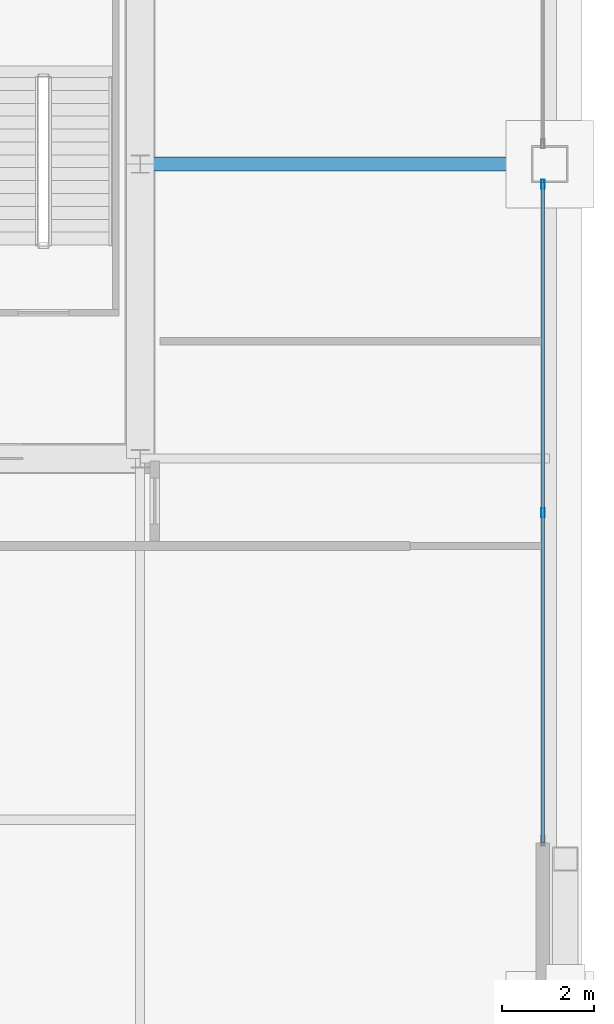
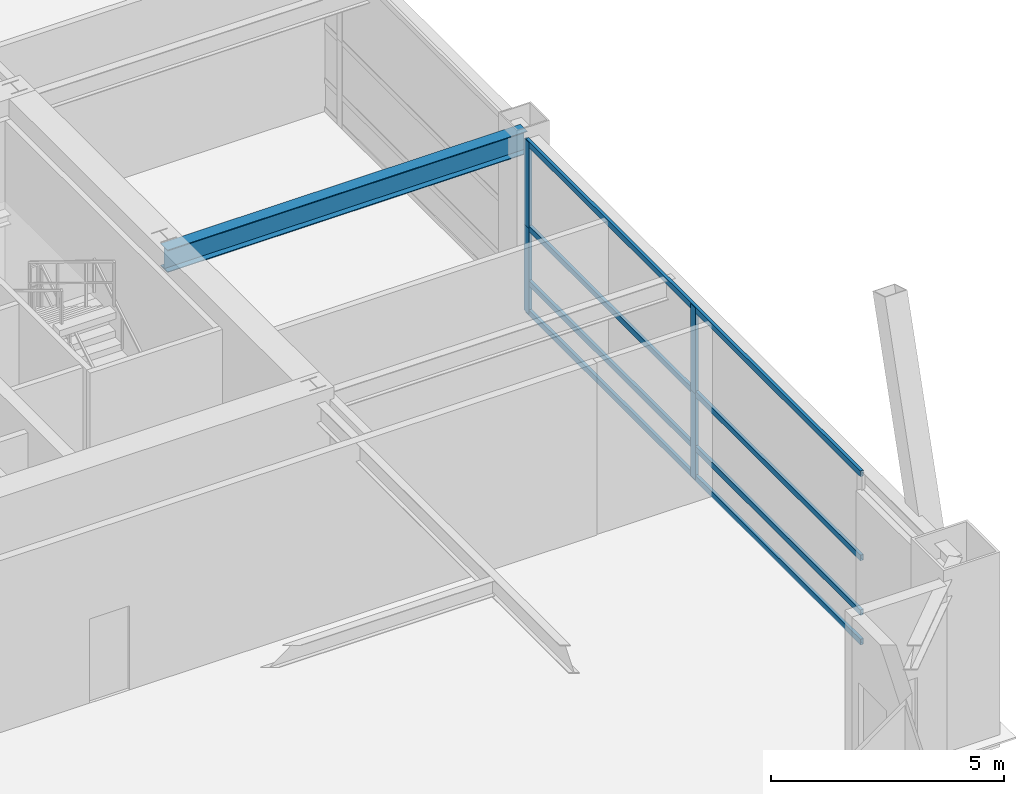
# One storey, part 17 of 34: 8 members, 1 beam, 1 element without a shape of its own.
"""IFC4 building model written with IfcOpenShell, lengths in metres."""

import ifcopenshell
import ifcopenshell.guid

model = None  # the IFC model being written
_history = None  # IfcOwnerHistory: only IFC2X3 demands one
_inside = {}  # id of a spatial element -> (the spatial element, [elements in it])
_under = {}  # id of a project, library or spatial element -> (it, [spatial elements below it])
_declared = {}  # id of a project -> (the project, [libraries it declares])
_typed = {}  # id of a type object -> (the type object, [elements of that type])
_made_of = {}  # id of a material, layer set ... -> (it, [elements and type objects made of it])


def new_model(schema):
    """Start an empty IFC model of exactly this schema.

    Asked for "IFC4X3", IfcOpenShell would pick the latest addendum, in which some entities
    have other attributes; the version numbers below select the first issue.
    IFC2X3 requires an IfcOwnerHistory on every rooted entity: one is made here for all.
    """
    global model, _history
    if schema == "IFC4X3":
        model = ifcopenshell.file(schema_version=(4, 3, 0, 0))
    else:
        model = ifcopenshell.file(schema=schema)
    _inside.clear()
    _under.clear()
    _declared.clear()
    _typed.clear()
    _made_of.clear()
    _history = None
    if model.schema == "IFC2X3":
        org = make("IfcOrganization", Name="unknown")
        user = make(
            "IfcPersonAndOrganization",
            ThePerson=make("IfcPerson", FamilyName="unknown"),
            TheOrganization=org,
        )
        app = make(
            "IfcApplication",
            ApplicationDeveloper=org,
            Version="unknown",
            ApplicationFullName="unknown",
            ApplicationIdentifier="unknown",
        )
        _history = make(
            "IfcOwnerHistory",
            OwningUser=user,
            OwningApplication=app,
            ChangeAction="ADDED",
            CreationDate=0,
        )
    return model


def make(cls, **values):
    """One entity of the class cls with the attributes given. An attribute that is None is left unset."""
    return model.create_entity(
        cls, **{name: value for name, value in values.items() if value is not None}
    )


def rooted(cls, **values):
    """An entity with a GlobalId (a new one), such as an element, a storey or a relation."""
    return make(cls, GlobalId=ifcopenshell.guid.new(), OwnerHistory=_history, **values)


def si_unit(unit_type, name, prefix=None):
    """IfcSIUnit, for example si_unit("LENGTHUNIT", "METRE", prefix="MILLI")."""
    return make("IfcSIUnit", UnitType=unit_type, Prefix=prefix, Name=name)


def assignment(units):
    """IfcUnitAssignment: the units of a project."""
    return None if units is None else make("IfcUnitAssignment", Units=units)


def point(xyz):
    """IfcCartesianPoint."""
    return None if xyz is None else make("IfcCartesianPoint", Coordinates=xyz)


def direction(xyz):
    """IfcDirection."""
    return None if xyz is None else make("IfcDirection", DirectionRatios=xyz)


def frame(location, z_axis=None, x_axis=None):
    """IfcAxis2Placement3D, a coordinate frame: its origin and axes. An axis left out is left unset."""
    return make(
        "IfcAxis2Placement3D",
        Location=point(location),
        Axis=direction(z_axis),
        RefDirection=direction(x_axis),
    )


def frame_2d(location, x_axis=None):
    """IfcAxis2Placement2D, a coordinate frame in the plane: its origin and x axis."""
    return make(
        "IfcAxis2Placement2D", Location=point(location), RefDirection=direction(x_axis)
    )


def origin():
    """The frame at (0, 0, 0) with its axes left unset."""
    return frame((0.0, 0.0, 0.0))


def origin_2d():
    """The frame at (0, 0) in the plane with its x axis left unset."""
    return frame_2d((0.0, 0.0))


def place(relative_to, where):
    """IfcLocalPlacement: puts the frame where relative to a parent placement (None: the world)."""
    return make(
        "IfcLocalPlacement", PlacementRelTo=relative_to, RelativePlacement=where
    )


def context(
    kind, dimensions, precision=None, world=None, true_north=None, identifier=None
):
    """IfcGeometricRepresentationContext, for example the 3D "Model" context."""
    return make(
        "IfcGeometricRepresentationContext",
        ContextIdentifier=identifier,
        ContextType=kind,
        CoordinateSpaceDimension=dimensions,
        Precision=precision,
        WorldCoordinateSystem=world,
        TrueNorth=true_north,
    )


def subcontext(parent, identifier, kind, view, scale=None):
    """IfcGeometricRepresentationSubContext, for example "Body" below "Model"."""
    return make(
        "IfcGeometricRepresentationSubContext",
        ContextIdentifier=identifier,
        ContextType=kind,
        ParentContext=parent,
        TargetScale=scale,
        TargetView=view,
    )


def project(units=None, contexts=None):
    """IfcProject with its units and contexts."""
    return rooted(
        "IfcProject",
        Name="project",
        RepresentationContexts=contexts,
        UnitsInContext=assignment(units),
    )


def spatial(cls, under=None, at=None, **own):
    """A site, building, storey or space (cls), placed at a placement, below another one or the project."""
    s = rooted(cls, ObjectPlacement=at, **own)
    if under is not None:
        _under.setdefault(under.id(), (under, []))[1].append(s)
    return s


def profile(cls, at=None, kind="AREA", **sizes):
    """A parametric profile (cls). Its sizes go by their IFC names, for example OverallWidth=200.0."""
    return make(cls, ProfileType=kind, Position=at, **sizes)


def hollow_rectangle(**sizes):
    """IfcRectangleHollowProfileDef."""
    return profile("IfcRectangleHollowProfileDef", **sizes)


def i_section(**sizes):
    """IfcIShapeProfileDef."""
    return profile("IfcIShapeProfileDef", **sizes)


def extrude(swept, where, along, depth):
    """IfcExtrudedAreaSolid: the profile swept, set in the frame where, extruded along a direction by depth."""
    return make(
        "IfcExtrudedAreaSolid",
        SweptArea=swept,
        Position=where,
        ExtrudedDirection=direction(along),
        Depth=depth,
    )


def shape(context_of_items, identifier, shape_type, items):
    """IfcShapeRepresentation: the items that make up one representation, for example the "Body"."""
    return make(
        "IfcShapeRepresentation",
        ContextOfItems=context_of_items,
        RepresentationIdentifier=identifier,
        RepresentationType=shape_type,
        Items=items,
    )


def source(mapping_origin, context_of_items, identifier, shape_type, items):
    """IfcRepresentationMap: a shape defined once, which mapped items show again and again."""
    return make(
        "IfcRepresentationMap",
        MappingOrigin=mapping_origin,
        MappedRepresentation=shape(context_of_items, identifier, shape_type, items),
    )


def transform(
    local_origin,
    x_axis=None,
    y_axis=None,
    z_axis=None,
    scale=None,
    scale2=None,
    scale3=None,
    uniform=True,
):
    """IfcCartesianTransformationOperator3D, or its non-uniform kind. x_axis, y_axis, z_axis: its Axis1, 2, 3."""
    if uniform:
        return make(
            "IfcCartesianTransformationOperator3D",
            Axis1=direction(x_axis),
            Axis2=direction(y_axis),
            LocalOrigin=point(local_origin),
            Scale=scale,
            Axis3=direction(z_axis),
        )
    return make(
        "IfcCartesianTransformationOperator3DnonUniform",
        Axis1=direction(x_axis),
        Axis2=direction(y_axis),
        LocalOrigin=point(local_origin),
        Scale=scale,
        Axis3=direction(z_axis),
        Scale2=scale2,
        Scale3=scale3,
    )


def mapped(mapping_source, mapping_target):
    """IfcMappedItem: shows the shape of a source again, moved by a transform."""
    return make(
        "IfcMappedItem", MappingSource=mapping_source, MappingTarget=mapping_target
    )


def material(Name=None, Category=None):
    """IfcMaterial."""
    return make("IfcMaterial", Name=Name, Category=Category)


def layer(
    of_material, thickness, ventilated=None, Name=None, Category=None, Priority=None
):
    """IfcMaterialLayer: one layer of a wall or slab, of a material (None: an air gap)."""
    return make(
        "IfcMaterialLayer",
        Material=of_material,
        LayerThickness=thickness,
        IsVentilated=ventilated,
        Name=Name,
        Category=Category,
        Priority=Priority,
    )


def layer_set(layers, Name=None):
    """IfcMaterialLayerSet."""
    return make("IfcMaterialLayerSet", MaterialLayers=layers, LayerSetName=Name)


def material_profile(
    of_material, cross_section, Name=None, Category=None, Priority=None
):
    """IfcMaterialProfile: a cross section and its material."""
    return make(
        "IfcMaterialProfile",
        Name=Name,
        Material=of_material,
        Profile=cross_section,
        Priority=Priority,
        Category=Category,
    )


def profile_set(profiles, Name=None, composite=None):
    """IfcMaterialProfileSet."""
    return make(
        "IfcMaterialProfileSet",
        Name=Name,
        MaterialProfiles=profiles,
        CompositeProfile=composite,
    )


def made_of(thing, what):
    """Note that an element or type object is made of a material, layer set ...; save() writes the relation."""
    if what is not None:
        _made_of.setdefault(what.id(), (what, []))[1].append(thing)
    return thing


def type_object(cls, material=None, **own):
    """A type object (cls), such as IfcWallType, which elements share."""
    return made_of(rooted(cls, **own), material)


def element(
    cls,
    number,
    at=None,
    inside=None,
    cuts=None,
    type_object=None,
    material=None,
    context=None,
    identifier="Body",
    shape_type=None,
    held_by="IfcProductDefinitionShape",
    body=None,
    shapes=None,
    **own,
):
    """One element of the class cls, such as IfcWall. Its Tag is "e" and its number.

    at: its placement. inside: the storey or other place that contains it. cuts: it is an
    opening in that element (IfcRelVoidsElement). A single representation is given by context,
    identifier, shape_type and body (its items); several are given by shapes. held_by: the class
    of the entity that holds the representations. save() writes the other relations.
    """
    e = rooted(cls, Tag="e%d" % number, ObjectPlacement=at, **own)
    if body is not None:
        shapes = [shape(context, identifier, shape_type, body)]
    if shapes is not None:
        e.Representation = make(held_by, Representations=shapes)
    if inside is not None:
        _inside.setdefault(inside.id(), (inside, []))[1].append(e)
    if cuts is not None:
        rooted(
            "IfcRelVoidsElement", RelatingBuildingElement=cuts, RelatedOpeningElement=e
        )
    if type_object is not None:
        _typed.setdefault(type_object.id(), (type_object, []))[1].append(e)
    return made_of(e, material)


def aggregate(whole, parts):
    """IfcRelAggregates: a whole, such as a stair, and the parts it consists of."""
    return rooted("IfcRelAggregates", RelatingObject=whole, RelatedObjects=parts)


def save(model, path):
    """Write the relations noted so far, then the file.

    IfcRelAggregates (storeys below a building ...), IfcRelContainedInSpatialStructure (elements
    in a storey), IfcRelDefinesByType, IfcRelAssociatesMaterial and IfcRelDeclares: one each for
    every whole, place, type object, material and project.
    """
    for whole, parts in _under.values():
        aggregate(whole, parts)
    for where, things in _inside.values():
        rooted(
            "IfcRelContainedInSpatialStructure",
            RelatedElements=things,
            RelatingStructure=where,
        )
    for kind, things in _typed.values():
        rooted("IfcRelDefinesByType", RelatedObjects=things, RelatingType=kind)
    for what, things in _made_of.values():
        rooted("IfcRelAssociatesMaterial", RelatedObjects=things, RelatingMaterial=what)
    for by, libraries in _declared.values():
        rooted("IfcRelDeclares", RelatingContext=by, RelatedDefinitions=libraries)
    model.write(path)


model = new_model("IFC4")

# Units and contexts
model_context = context("Model", 3, precision=1e-05, world=origin(), true_north=direction((0.0, 1.0)))
body_context = subcontext(model_context, "Body", "Model", "MODEL_VIEW")
ifc_project = project(units=[si_unit("LENGTHUNIT", "METRE"), si_unit("AREAUNIT", "SQUARE_METRE"), si_unit("VOLUMEUNIT", "CUBIC_METRE"), si_unit("PLANEANGLEUNIT", "RADIAN"), si_unit("MASSUNIT", "GRAM", prefix="KILO"), si_unit("THERMODYNAMICTEMPERATUREUNIT", "KELVIN"), si_unit("POWERUNIT", "WATT")], contexts=[model_context])

# Site, building, storey
site_placement = place(None, origin())
site = spatial("IfcSite", under=ifc_project, at=site_placement, CompositionType="ELEMENT")
building_placement = place(site_placement, origin())
building = spatial("IfcBuilding", under=site, at=building_placement, Name="Yuzanri Waterfront Tower", CompositionType="ELEMENT")
storey_placement = place(building_placement, frame((0.0, 0.0, 166.800048828125)))
storey = spatial("IfcBuildingStorey", under=building, at=storey_placement, Name="L44", CompositionType="ELEMENT", Elevation=166.800048828125)

# Beam
ifc_material_1 = material(Name="Steel Q355B", Category="steel")
ifc_material_profile_1 = material_profile(ifc_material_1, i_section(OverallWidth=0.300048828125, OverallDepth=0.587890625, WebThickness=0.011962890625, FlangeThickness=0.02001953125, at=origin_2d()), Name="HM 588x300x12x20")
ifc_profile_set_1 = profile_set([ifc_material_profile_1], Name="Steel Q355B")
beam_type = type_object("IfcBeamType", Name="Primary Floor Girder Q355B HM 588x300", PredefinedType="BEAM", material=ifc_profile_set_1)
shared_shape_1 = source(origin(), body_context, "Body", "SweptSolid", [
    extrude(i_section(OverallWidth=0.300048828125, OverallDepth=0.587890625, WebThickness=0.011962890625, FlangeThickness=0.02001953125, at=origin_2d()), origin(), (0.0, 0.0, 1.0), 8.900146484375),
])
beam_placement = place(storey_placement, frame((50.199951171875, 25.800048828125, 4.2060546875), z_axis=(1.0, 0.0, 0.0), x_axis=(0.0, 1.0, 0.0)))
element("IfcBeam", 1, at=beam_placement, inside=storey, type_object=beam_type, Name="L44 East Grid Girder", PredefinedType="BEAM", context=body_context, shape_type="MappedRepresentation", body=[
    mapped(shared_shape_1, transform((0.0, 0.0, 0.0), scale=1.0)),
])

# Curtain wall, members
ifc_material_2 = material(Name="Anodized Architectural Bronze", Category="metal")
ifc_layer = layer(ifc_material_2, 0.159912109375)
ifc_layer_set = layer_set([ifc_layer], Name="Anodized Architectural Bronze")
curtain_wall_type = type_object("IfcCurtainWallType", Name="Anodized Bronze Sky-Lobby Triple-Glazed Feature Curtain Wall 7500", PredefinedType="NOTDEFINED", material=ifc_layer_set)
curtain_wall_placement = place(storey_placement, origin())
curtain_wall = element("IfcCurtainWall", 2, at=curtain_wall_placement, inside=storey, type_object=curtain_wall_type, Name="L44 Curtain Wall CW-L44-EL", PredefinedType="NOTDEFINED")
ifc_material_3 = material(Name="Anodized Architectural Bronze", Category="metal")
ifc_material_profile_2 = material_profile(ifc_material_3, hollow_rectangle(XDim=0.074951171875, YDim=0.199951171875, WallThickness=0.00390625, at=origin_2d()), Name="CWM 75x200")
ifc_profile_set_2 = profile_set([ifc_material_profile_2], Name="Anodized Architectural Bronze")
member_type_1 = type_object("IfcMemberType", Name="Anodized Bronze Primary Curtain-Wall Mullion 75x200", PredefinedType="MULLION", material=ifc_profile_set_2)
shared_shape_2 = source(origin(), body_context, "Body", "SweptSolid", [
    extrude(hollow_rectangle(XDim=0.074951171875, YDim=0.199951171875, WallThickness=0.00390625, at=origin_2d()), origin(), (0.0, 0.0, 1.0), 2.248046875),
])
member_1_placement = place(storey_placement, frame((58.949951171875, 18.22509765625, 0.0), z_axis=(0.0, 0.0, 1.0), x_axis=(1.0, 0.0, 0.0)))
member_1 = element("IfcMember", 3, at=member_1_placement, type_object=member_type_1, Name="CW-L44-EL Lower Mullion 01", PredefinedType="MULLION", context=body_context, shape_type="MappedRepresentation", body=[
    mapped(shared_shape_2, transform((0.0, 0.0, 0.0), scale=1.0)),
])
member_2_placement = place(storey_placement, frame((58.949951171875, 18.22509765625, 2.251953125), z_axis=(0.0, 0.0, 1.0), x_axis=(1.0, 0.0, 0.0)))
member_2 = element("IfcMember", 4, at=member_2_placement, type_object=member_type_1, Name="CW-L44-EL Upper Mullion 01", PredefinedType="MULLION", context=body_context, shape_type="MappedRepresentation", body=[
    mapped(shared_shape_2, transform((0.0, 0.0, 0.0), scale=1.0)),
])
member_3_placement = place(storey_placement, frame((58.949951171875, 25.360107421875, 0.0), z_axis=(0.0, 0.0, 1.0), x_axis=(1.0, 0.0, 0.0)))
member_3 = element("IfcMember", 5, at=member_3_placement, type_object=member_type_1, Name="CW-L44-EL Lower Mullion 02", PredefinedType="MULLION", context=body_context, shape_type="MappedRepresentation", body=[
    mapped(shared_shape_2, transform((0.0, 0.0, 0.0), scale=1.0)),
])
member_4_placement = place(storey_placement, frame((58.949951171875, 25.360107421875, 2.251953125), z_axis=(0.0, 0.0, 1.0), x_axis=(1.0, 0.0, 0.0)))
member_4 = element("IfcMember", 6, at=member_4_placement, type_object=member_type_1, Name="CW-L44-EL Upper Mullion 02", PredefinedType="MULLION", context=body_context, shape_type="MappedRepresentation", body=[
    mapped(shared_shape_2, transform((0.0, 0.0, 0.0), scale=1.0)),
])
ifc_material_4 = material(Name="Anodized Architectural Bronze", Category="metal")
ifc_material_profile_3 = material_profile(ifc_material_4, hollow_rectangle(XDim=0.074951171875, YDim=0.14990234375, WallThickness=0.00390625, at=origin_2d()), Name="CWT 75x150")
ifc_profile_set_3 = profile_set([ifc_material_profile_3], Name="Anodized Architectural Bronze")
member_type_2 = type_object("IfcMemberType", Name="Anodized Bronze Primary Curtain-Wall Transom 75x150", PredefinedType="USERDEFINED", material=ifc_profile_set_3)
shared_shape_3 = source(origin(), body_context, "Body", "SweptSolid", [
    extrude(hollow_rectangle(XDim=0.074951171875, YDim=0.14990234375, WallThickness=0.00390625, at=origin_2d()), origin(), (0.0, 0.0, 1.0), 14.349853515625),
])
member_5_placement = place(storey_placement, frame((58.949951171875, 11.050048828125, 0.050048828125), z_axis=(0.0, 1.0, 0.0), x_axis=(-1.0, 0.0, 0.0)))
member_5 = element("IfcMember", 7, at=member_5_placement, type_object=member_type_2, Name="CW-L44-EL Transom 1", ObjectType="TRANSOM", PredefinedType="USERDEFINED", context=body_context, shape_type="MappedRepresentation", body=[
    mapped(shared_shape_3, transform((0.0, 0.0, 0.0), scale=1.0)),
])
member_6_placement = place(storey_placement, frame((58.949951171875, 11.050048828125, 0.820068359375), z_axis=(0.0, 1.0, 0.0), x_axis=(-1.0, 0.0, 0.0)))
member_6 = element("IfcMember", 8, at=member_6_placement, type_object=member_type_2, Name="CW-L44-EL Transom 2", ObjectType="TRANSOM", PredefinedType="USERDEFINED", context=body_context, shape_type="MappedRepresentation", body=[
    mapped(shared_shape_3, transform((0.0, 0.0, 0.0), scale=1.0)),
])
member_7_placement = place(storey_placement, frame((58.949951171875, 11.050048828125, 2.25), z_axis=(0.0, 1.0, 0.0), x_axis=(-1.0, 0.0, 0.0)))
member_7 = element("IfcMember", 9, at=member_7_placement, type_object=member_type_2, Name="CW-L44-EL Transom 3", ObjectType="TRANSOM", PredefinedType="USERDEFINED", context=body_context, shape_type="MappedRepresentation", body=[
    mapped(shared_shape_3, transform((0.0, 0.0, 0.0), scale=1.0)),
])
member_8_placement = place(storey_placement, frame((58.949951171875, 11.050048828125, 4.449951171875), z_axis=(0.0, 1.0, 0.0), x_axis=(-1.0, 0.0, 0.0)))
member_8 = element("IfcMember", 10, at=member_8_placement, type_object=member_type_2, Name="CW-L44-EL Transom 4", ObjectType="TRANSOM", PredefinedType="USERDEFINED", context=body_context, shape_type="MappedRepresentation", body=[
    mapped(shared_shape_3, transform((0.0, 0.0, 0.0), scale=1.0)),
])
aggregate(curtain_wall, [member_1, member_2, member_3, member_4, member_5, member_6, member_7, member_8])

save(model, "model.ifc")
